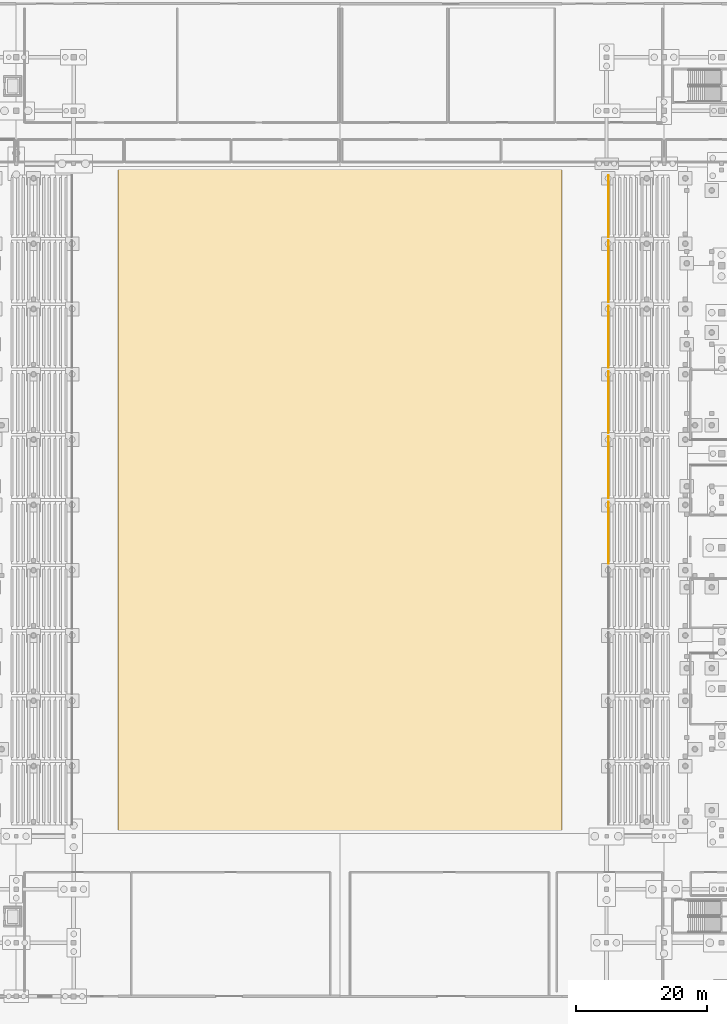
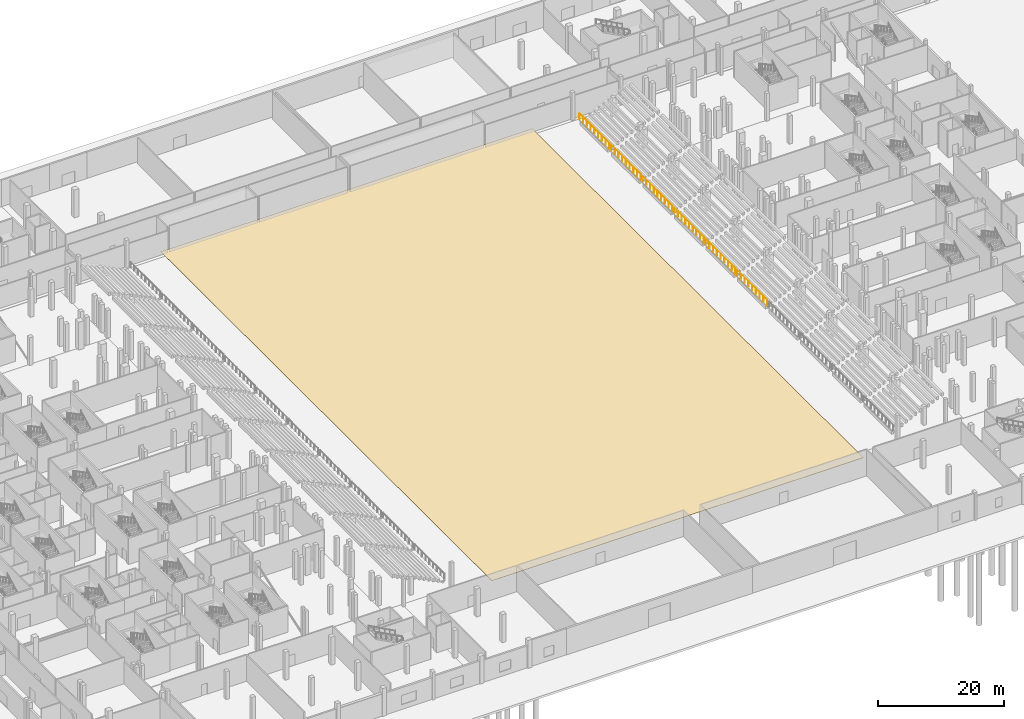
# One storey, part 80 of 89: 6 railings, 1 covering.
"""IFC4 building model written with IfcOpenShell, lengths in metres."""

from ifc_helpers import new_model, si_unit, direction, frame, origin, origin_2d, place, context, subcontext, project, spatial, polyline, circle, outline, extrude, material, layer, layer_set, type_object, element, save


model = new_model("IFC4")

# Units and contexts
model_context = context("Model", 3, precision=1e-05, world=origin(), true_north=direction((0.0, 1.0)))
body_context = subcontext(model_context, "Body", "Model", "MODEL_VIEW")
ifc_project = project(units=[si_unit("LENGTHUNIT", "METRE"), si_unit("AREAUNIT", "SQUARE_METRE"), si_unit("VOLUMEUNIT", "CUBIC_METRE"), si_unit("PLANEANGLEUNIT", "RADIAN"), si_unit("MASSUNIT", "GRAM", prefix="KILO")], contexts=[model_context])

# Site, building, storey
site_placement = place(None, origin())
site = spatial("IfcSite", under=ifc_project, at=site_placement, CompositionType="ELEMENT")
building_placement = place(site_placement, origin())
building = spatial("IfcBuilding", under=site, at=building_placement, Name="Koshinbarg Plaza Stadium", CompositionType="ELEMENT")
storey_placement = place(building_placement, origin())
storey = spatial("IfcBuildingStorey", under=building, at=storey_placement, Name="L00", CompositionType="ELEMENT", Elevation=0.0)

# Covering
ifc_material_1 = material(Name="Natural grass sports turf rootzone")
ifc_layer = layer(ifc_material_1, 0.06005859375)
ifc_layer_set = layer_set([ifc_layer], Name="Natural grass sports turf rootzone")
covering_type = type_object("IfcCoveringType", Name="COV-TURF-01", PredefinedType="FLOORING", material=ifc_layer_set)
covering_placement = place(storey_placement, frame((0.0, 0.0, -0.06005859375)))
element("IfcCovering", 1, at=covering_placement, inside=storey, type_object=covering_type, Name="Natural turf playing pitch", PredefinedType="FLOORING", context=body_context, shape_type="SweptSolid", body=[
    extrude(outline(polyline([(88.0, 23.5), (156.0, 23.5), (156.0, 128.5), (88.0, 128.5), (88.0, 23.5)])), origin(), (0.0, 0.0, 1.0), 0.06005859375),
])

# Railings
ifc_material_2 = material(Name="Toughened laminated glass and stainless steel sightline balustrade", Category="steel")
railing_type = type_object("IfcRailingType", Name="RL-BOWL-1100", PredefinedType="BALUSTRADE", material=ifc_material_2)
for number, where, name in (
    (2, (163.080078125, 66.280029296875, 1.02001953125), "LT-E05 front stand crowd barrier"),
    (3, (163.080078125, 76.280029296875, 1.02001953125), "LT-E06 front stand crowd barrier"),
    (4, (163.080078125, 86.280029296875, 1.02001953125), "LT-E07 front stand crowd barrier"),
    (5, (163.080078125, 96.280029296875, 1.02001953125), "LT-E08 front stand crowd barrier"),
    (6, (163.080078125, 106.280029296875, 1.02001953125), "LT-E09 front stand crowd barrier"),
    (7, (163.080078125, 116.280029296875, 1.02001953125), "LT-E10 front stand crowd barrier"),
):
    element("IfcRailing", number, at=place(storey_placement, frame(where)), inside=storey, type_object=railing_type, Name=name, PredefinedType="BALUSTRADE", context=body_context, shape_type="SweptSolid", body=[
        extrude(circle(Radius=0.02392578125, at=origin_2d()), frame((0.0, 0.0, 1.076171875), z_axis=(0.0, 1.0, 0.0), x_axis=(-1.0, 0.0, 0.0)), (0.0, 0.0, 1.0), 9.43994140625),
        extrude(circle(Radius=0.02099609375, at=origin_2d()), origin(), (0.0, 0.0, 1.0), 1.052001953125),
        extrude(circle(Radius=0.02099609375, at=origin_2d()), frame((0.0, 1.179931640625, 0.0)), (0.0, 0.0, 1.0), 1.052001953125),
        extrude(circle(Radius=0.02099609375, at=origin_2d()), frame((0.0, 2.35986328125, 0.0)), (0.0, 0.0, 1.0), 1.052001953125),
        extrude(circle(Radius=0.02099609375, at=origin_2d()), frame((0.0, 3.5400390625, 0.0)), (0.0, 0.0, 1.0), 1.052001953125),
        extrude(circle(Radius=0.02099609375, at=origin_2d()), frame((0.0, 4.719970703125, 0.0)), (0.0, 0.0, 1.0), 1.052001953125),
        extrude(circle(Radius=0.02099609375, at=origin_2d()), frame((0.0, 5.89990234375, 0.0)), (0.0, 0.0, 1.0), 1.052001953125),
        extrude(circle(Radius=0.02099609375, at=origin_2d()), frame((0.0, 7.080078125, 0.0)), (0.0, 0.0, 1.0), 1.052001953125),
        extrude(circle(Radius=0.02099609375, at=origin_2d()), frame((0.0, 8.260009765625, 0.0)), (0.0, 0.0, 1.0), 1.052001953125),
        extrude(circle(Radius=0.02099609375, at=origin_2d()), frame((0.0, 9.43994140625, 0.0)), (0.0, 0.0, 1.0), 1.052001953125),
    ])

save(model, "model.ifc")
